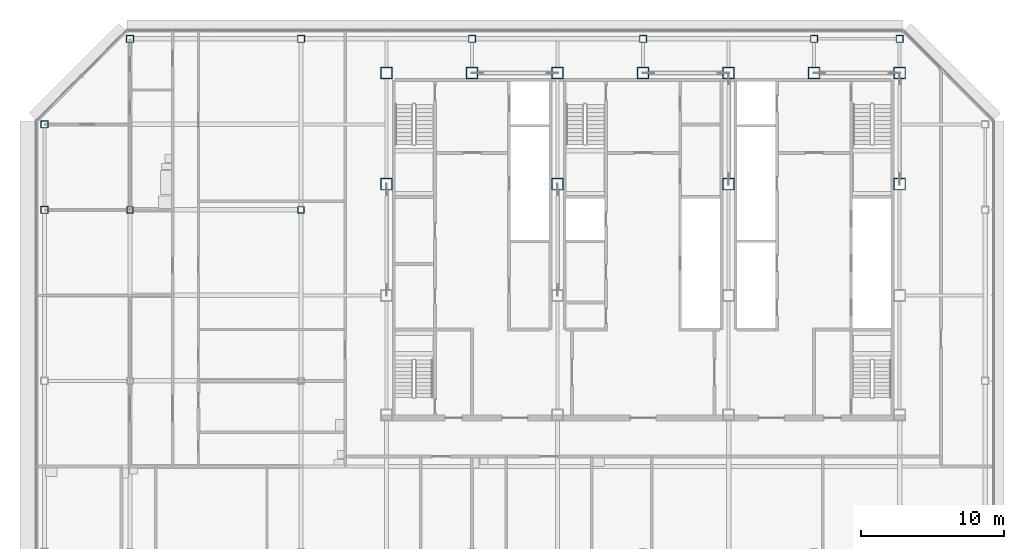
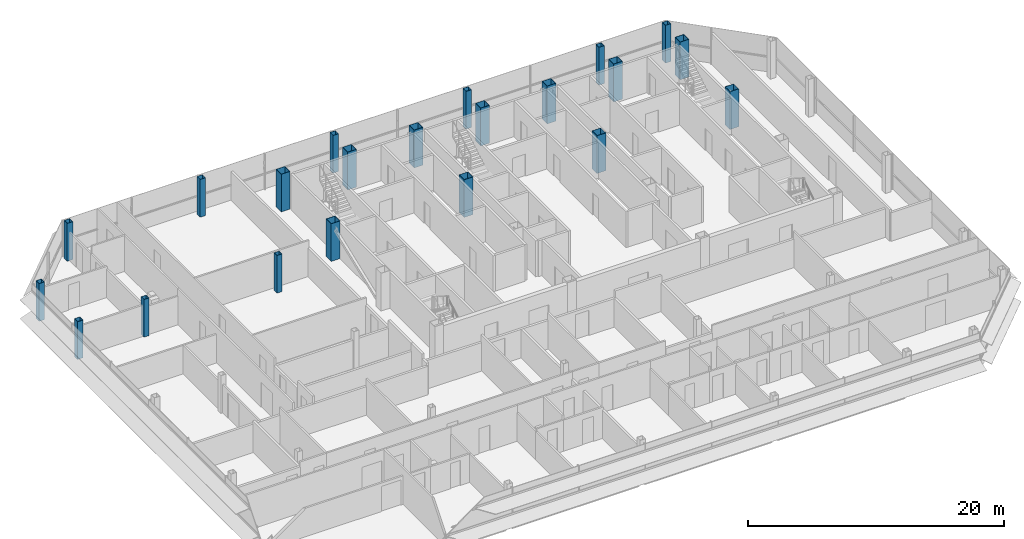
# One storey, part 2 of 28: 21 columns.
"""IFC4 building model written with IfcOpenShell, lengths in metres."""

from ifc_helpers import new_model, si_unit, direction, frame, origin, origin_2d, place, context, subcontext, project, spatial, hollow_rectangle, extrude, material, material_profile, profile_set, type_object, element, save


model = new_model("IFC4")

# Units and contexts
model_context = context("Model", 3, precision=1e-05, world=origin(), true_north=direction((0.0, 1.0)))
body_context = subcontext(model_context, "Body", "Model", "MODEL_VIEW")
ifc_project = project(units=[si_unit("LENGTHUNIT", "METRE"), si_unit("AREAUNIT", "SQUARE_METRE"), si_unit("VOLUMEUNIT", "CUBIC_METRE"), si_unit("PLANEANGLEUNIT", "RADIAN"), si_unit("MASSUNIT", "GRAM", prefix="KILO")], contexts=[model_context])

# Site, building, storey
site_placement = place(None, origin())
site = spatial("IfcSite", under=ifc_project, at=site_placement, CompositionType="ELEMENT")
building_placement = place(site_placement, origin())
building = spatial("IfcBuilding", under=site, at=building_placement, Name="Sorahane Residences", CompositionType="ELEMENT")
storey_placement = place(building_placement, frame((0.0, 0.0, 305.199951171875)))
storey = spatial("IfcBuildingStorey", under=building, at=storey_placement, Name="L72", CompositionType="ELEMENT", Elevation=305.199951171875)

# Columns
ifc_material_1 = material(Name="Steel Q355B", Category="steel")
ifc_material_profile_1 = material_profile(ifc_material_1, hollow_rectangle(XDim=0.449951171875, YDim=0.449951171875, WallThickness=0.02197265625, at=origin_2d()), Name="BOX 450x450x22")
ifc_profile_set_1 = profile_set([ifc_material_profile_1], Name="Steel Q355B")
column_type_1 = type_object("IfcColumnType", Name="Steel box column BOX 450x450x22 Q355B", PredefinedType="COLUMN", material=ifc_profile_set_1)
for number, where, z_axis, x_axis, name in (
    (1, (-12.0, 36.0, 0.0), (0.0, 0.0, 1.0), (1.0, 0.0, 0.0), "Column L72 m12/36"),
    (2, (0.0, 36.0, 0.0), (0.0, 0.0, 1.0), (1.0, 0.0, 0.0), "Column L72 0/36"),
):
    element("IfcColumn", number, at=place(storey_placement, frame(where, z_axis=z_axis, x_axis=x_axis)), inside=storey, type_object=column_type_1, Name=name, PredefinedType="COLUMN", context=body_context, shape_type="SweptSolid", body=[
        extrude(hollow_rectangle(XDim=0.449951171875, YDim=0.449951171875, WallThickness=0.02197265625, at=origin_2d()), origin(), (0.0, 0.0, 1.0), 3.60009765625),
    ])
ifc_material_2 = material(Name="Steel Q355B", Category="steel")
ifc_material_profile_2 = material_profile(ifc_material_2, hollow_rectangle(XDim=0.5, YDim=0.5, WallThickness=0.02490234375, at=origin_2d()), Name="BOX 500x500x25")
ifc_profile_set_2 = profile_set([ifc_material_profile_2], Name="Steel Q355B")
column_type_2 = type_object("IfcColumnType", Name="Steel box column BOX 500x500x25 Q355B", PredefinedType="COLUMN", material=ifc_profile_set_2)
for number, where, z_axis, x_axis, name in (
    (3, (-18.0, 36.0, 0.0), (0.0, 0.0, 1.0), (1.0, 0.0, 0.0), "Column L72 m18/36"),
    (4, (-18.0, 42.0, 0.0), (0.0, 0.0, 1.0), (1.0, 0.0, 0.0), "Column L72 m18/42"),
    (5, (-12.0, 48.0, 0.0), (0.0, 0.0, 1.0), (1.0, 0.0, 0.0), "Column L72 m12/48"),
    (6, (0.0, 48.0, 0.0), (0.0, 0.0, 1.0), (1.0, 0.0, 0.0), "Column L72 0/48"),
    (7, (12.0, 48.0, 0.0), (0.0, 0.0, 1.0), (1.0, 0.0, 0.0), "Column L72 12/48"),
    (8, (24.0, 48.0, 0.0), (0.0, 0.0, 1.0), (1.0, 0.0, 0.0), "Column L72 24/48"),
    (9, (36.0, 48.0, 0.0), (0.0, 0.0, 1.0), (1.0, 0.0, 0.0), "Column L72 36/48"),
    (10, (42.0, 48.0, 0.0), (0.0, 0.0, 1.0), (1.0, 0.0, 0.0), "Column L72 42/48"),
):
    element("IfcColumn", number, at=place(storey_placement, frame(where, z_axis=z_axis, x_axis=x_axis)), inside=storey, type_object=column_type_2, Name=name, PredefinedType="COLUMN", context=body_context, shape_type="SweptSolid", body=[
        extrude(hollow_rectangle(XDim=0.5, YDim=0.5, WallThickness=0.02490234375, at=origin_2d()), origin(), (0.0, 0.0, 1.0), 3.60009765625),
    ])
ifc_material_3 = material(Name="Steel Q355B", Category="steel")
ifc_material_profile_3 = material_profile(ifc_material_3, hollow_rectangle(XDim=0.800048828125, YDim=0.800048828125, WallThickness=0.02490234375, at=origin_2d()), Name="BOX 800x800x25")
ifc_profile_set_3 = profile_set([ifc_material_profile_3], Name="Steel Q355B")
column_type_3 = type_object("IfcColumnType", Name="Steel box column BOX 800x800x25 Q355B", PredefinedType="COLUMN", material=ifc_profile_set_3)
for number, where, z_axis, x_axis, name in (
    (11, (6.0, 37.800048828125, 0.0), (0.0, 0.0, 1.0), (1.0, 0.0, 0.0), "Column L72 6/37.8"),
    (12, (6.0, 45.60009765625, 0.0), (0.0, 0.0, 1.0), (1.0, 0.0, 0.0), "Column L72 6/45.6"),
    (13, (12.0, 45.60009765625, 0.0), (0.0, 0.0, 1.0), (1.0, 0.0, 0.0), "Column L72 12/45.6"),
    (14, (18.0, 37.800048828125, 0.0), (0.0, 0.0, 1.0), (1.0, 0.0, 0.0), "Column L72 18/37.8"),
    (15, (18.0, 45.60009765625, 0.0), (0.0, 0.0, 1.0), (1.0, 0.0, 0.0), "Column L72 18/45.6"),
    (16, (24.0, 45.60009765625, 0.0), (0.0, 0.0, 1.0), (1.0, 0.0, 0.0), "Column L72 24/45.6"),
    (17, (30.0, 37.800048828125, 0.0), (0.0, 0.0, 1.0), (1.0, 0.0, 0.0), "Column L72 30/37.8"),
    (18, (30.0, 45.60009765625, 0.0), (0.0, 0.0, 1.0), (1.0, 0.0, 0.0), "Column L72 30/45.6"),
    (19, (36.0, 45.60009765625, 0.0), (0.0, 0.0, 1.0), (1.0, 0.0, 0.0), "Column L72 36/45.6"),
    (20, (42.0, 37.800048828125, 0.0), (0.0, 0.0, 1.0), (1.0, 0.0, 0.0), "Column L72 42/37.8"),
    (21, (42.0, 45.60009765625, 0.0), (0.0, 0.0, 1.0), (1.0, 0.0, 0.0), "Column L72 42/45.6"),
):
    element("IfcColumn", number, at=place(storey_placement, frame(where, z_axis=z_axis, x_axis=x_axis)), inside=storey, type_object=column_type_3, Name=name, PredefinedType="COLUMN", context=body_context, shape_type="SweptSolid", body=[
        extrude(hollow_rectangle(XDim=0.800048828125, YDim=0.800048828125, WallThickness=0.02490234375, at=origin_2d()), origin(), (0.0, 0.0, 1.0), 3.60009765625),
    ])

save(model, "model.ifc")
